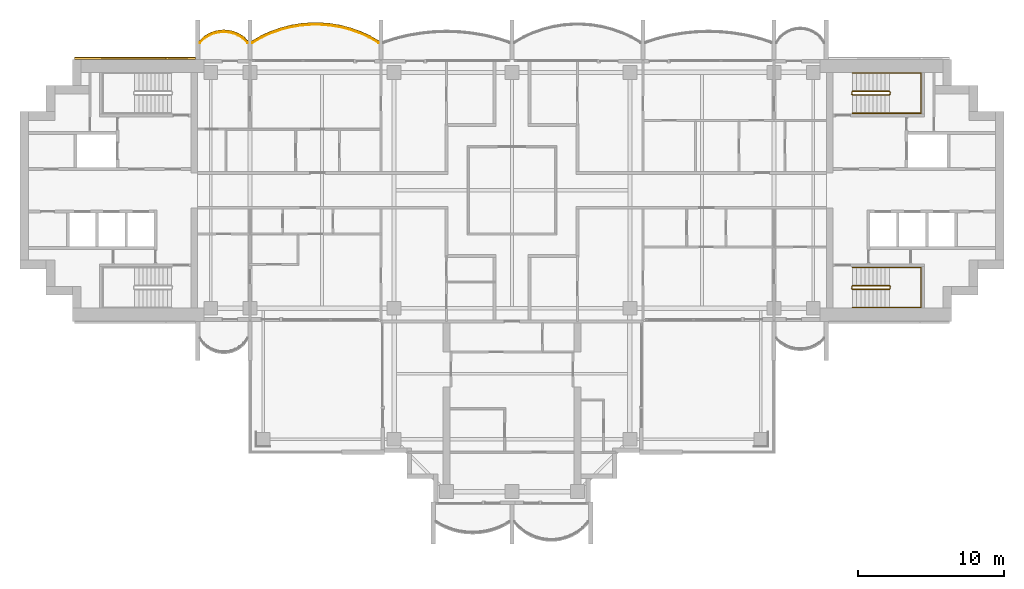
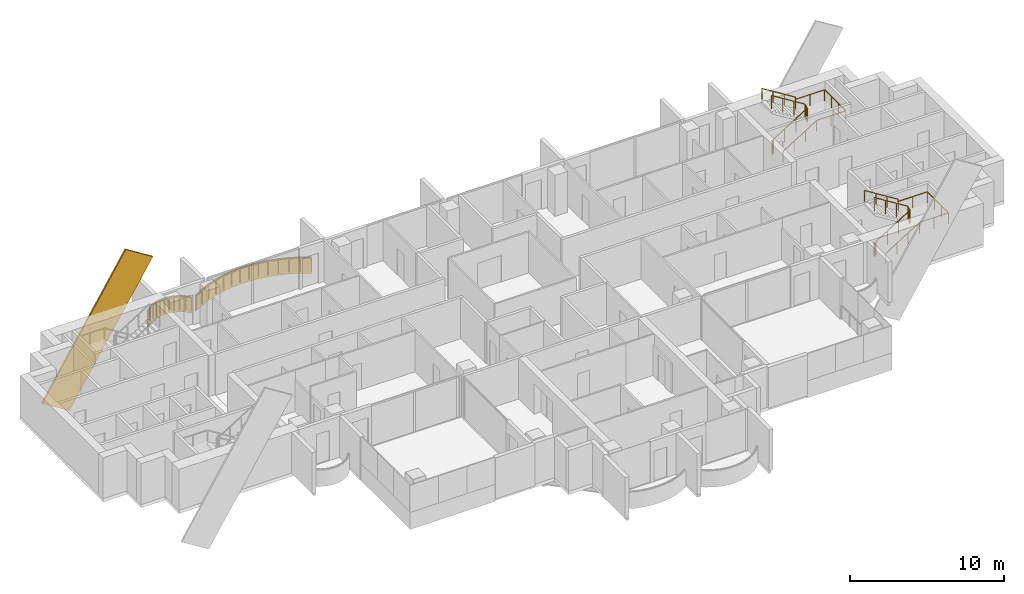
# One storey, part 16 of 17: 6 railings, 3 coverings.
"""IFC4 building model written with IfcOpenShell, lengths in metres."""

import ifcopenshell
import ifcopenshell.guid

model = None  # the IFC model being written
_history = None  # IfcOwnerHistory: only IFC2X3 demands one
_inside = {}  # id of a spatial element -> (the spatial element, [elements in it])
_under = {}  # id of a project, library or spatial element -> (it, [spatial elements below it])
_declared = {}  # id of a project -> (the project, [libraries it declares])
_typed = {}  # id of a type object -> (the type object, [elements of that type])
_made_of = {}  # id of a material, layer set ... -> (it, [elements and type objects made of it])


def new_model(schema):
    """Start an empty IFC model of exactly this schema.

    Asked for "IFC4X3", IfcOpenShell would pick the latest addendum, in which some entities
    have other attributes; the version numbers below select the first issue.
    IFC2X3 requires an IfcOwnerHistory on every rooted entity: one is made here for all.
    """
    global model, _history
    if schema == "IFC4X3":
        model = ifcopenshell.file(schema_version=(4, 3, 0, 0))
    else:
        model = ifcopenshell.file(schema=schema)
    _inside.clear()
    _under.clear()
    _declared.clear()
    _typed.clear()
    _made_of.clear()
    _history = None
    if model.schema == "IFC2X3":
        org = make("IfcOrganization", Name="unknown")
        user = make(
            "IfcPersonAndOrganization",
            ThePerson=make("IfcPerson", FamilyName="unknown"),
            TheOrganization=org,
        )
        app = make(
            "IfcApplication",
            ApplicationDeveloper=org,
            Version="unknown",
            ApplicationFullName="unknown",
            ApplicationIdentifier="unknown",
        )
        _history = make(
            "IfcOwnerHistory",
            OwningUser=user,
            OwningApplication=app,
            ChangeAction="ADDED",
            CreationDate=0,
        )
    return model


def make(cls, **values):
    """One entity of the class cls with the attributes given. An attribute that is None is left unset."""
    return model.create_entity(
        cls, **{name: value for name, value in values.items() if value is not None}
    )


def rooted(cls, **values):
    """An entity with a GlobalId (a new one), such as an element, a storey or a relation."""
    return make(cls, GlobalId=ifcopenshell.guid.new(), OwnerHistory=_history, **values)


def si_unit(unit_type, name, prefix=None):
    """IfcSIUnit, for example si_unit("LENGTHUNIT", "METRE", prefix="MILLI")."""
    return make("IfcSIUnit", UnitType=unit_type, Prefix=prefix, Name=name)


def assignment(units):
    """IfcUnitAssignment: the units of a project."""
    return None if units is None else make("IfcUnitAssignment", Units=units)


def point(xyz):
    """IfcCartesianPoint."""
    return None if xyz is None else make("IfcCartesianPoint", Coordinates=xyz)


def direction(xyz):
    """IfcDirection."""
    return None if xyz is None else make("IfcDirection", DirectionRatios=xyz)


def frame(location, z_axis=None, x_axis=None):
    """IfcAxis2Placement3D, a coordinate frame: its origin and axes. An axis left out is left unset."""
    return make(
        "IfcAxis2Placement3D",
        Location=point(location),
        Axis=direction(z_axis),
        RefDirection=direction(x_axis),
    )


def frame_2d(location, x_axis=None):
    """IfcAxis2Placement2D, a coordinate frame in the plane: its origin and x axis."""
    return make(
        "IfcAxis2Placement2D", Location=point(location), RefDirection=direction(x_axis)
    )


def origin():
    """The frame at (0, 0, 0) with its axes left unset."""
    return frame((0.0, 0.0, 0.0))


def origin_2d():
    """The frame at (0, 0) in the plane with its x axis left unset."""
    return frame_2d((0.0, 0.0))


def place(relative_to, where):
    """IfcLocalPlacement: puts the frame where relative to a parent placement (None: the world)."""
    return make(
        "IfcLocalPlacement", PlacementRelTo=relative_to, RelativePlacement=where
    )


def context(
    kind, dimensions, precision=None, world=None, true_north=None, identifier=None
):
    """IfcGeometricRepresentationContext, for example the 3D "Model" context."""
    return make(
        "IfcGeometricRepresentationContext",
        ContextIdentifier=identifier,
        ContextType=kind,
        CoordinateSpaceDimension=dimensions,
        Precision=precision,
        WorldCoordinateSystem=world,
        TrueNorth=true_north,
    )


def subcontext(parent, identifier, kind, view, scale=None):
    """IfcGeometricRepresentationSubContext, for example "Body" below "Model"."""
    return make(
        "IfcGeometricRepresentationSubContext",
        ContextIdentifier=identifier,
        ContextType=kind,
        ParentContext=parent,
        TargetScale=scale,
        TargetView=view,
    )


def project(units=None, contexts=None):
    """IfcProject with its units and contexts."""
    return rooted(
        "IfcProject",
        Name="project",
        RepresentationContexts=contexts,
        UnitsInContext=assignment(units),
    )


def spatial(cls, under=None, at=None, **own):
    """A site, building, storey or space (cls), placed at a placement, below another one or the project."""
    s = rooted(cls, ObjectPlacement=at, **own)
    if under is not None:
        _under.setdefault(under.id(), (under, []))[1].append(s)
    return s


def polyline(points):
    """IfcPolyline through the points."""
    return make("IfcPolyline", Points=[point(p) for p in points])


def profile(cls, at=None, kind="AREA", **sizes):
    """A parametric profile (cls). Its sizes go by their IFC names, for example OverallWidth=200.0."""
    return make(cls, ProfileType=kind, Position=at, **sizes)


def rectangle(**sizes):
    """IfcRectangleProfileDef."""
    return profile("IfcRectangleProfileDef", **sizes)


def outline(outer, holes=None, kind="AREA"):
    """IfcArbitraryClosedProfileDef: a profile drawn as a closed curve; with holes, ...WithVoids."""
    if holes is None:
        return make("IfcArbitraryClosedProfileDef", ProfileType=kind, OuterCurve=outer)
    return make(
        "IfcArbitraryProfileDefWithVoids",
        ProfileType=kind,
        OuterCurve=outer,
        InnerCurves=holes,
    )


def extrude(swept, where, along, depth):
    """IfcExtrudedAreaSolid: the profile swept, set in the frame where, extruded along a direction by depth."""
    return make(
        "IfcExtrudedAreaSolid",
        SweptArea=swept,
        Position=where,
        ExtrudedDirection=direction(along),
        Depth=depth,
    )


def shape(context_of_items, identifier, shape_type, items):
    """IfcShapeRepresentation: the items that make up one representation, for example the "Body"."""
    return make(
        "IfcShapeRepresentation",
        ContextOfItems=context_of_items,
        RepresentationIdentifier=identifier,
        RepresentationType=shape_type,
        Items=items,
    )


def material(Name=None, Category=None):
    """IfcMaterial."""
    return make("IfcMaterial", Name=Name, Category=Category)


def layer(
    of_material, thickness, ventilated=None, Name=None, Category=None, Priority=None
):
    """IfcMaterialLayer: one layer of a wall or slab, of a material (None: an air gap)."""
    return make(
        "IfcMaterialLayer",
        Material=of_material,
        LayerThickness=thickness,
        IsVentilated=ventilated,
        Name=Name,
        Category=Category,
        Priority=Priority,
    )


def layer_set(layers, Name=None):
    """IfcMaterialLayerSet."""
    return make("IfcMaterialLayerSet", MaterialLayers=layers, LayerSetName=Name)


def material_profile(
    of_material, cross_section, Name=None, Category=None, Priority=None
):
    """IfcMaterialProfile: a cross section and its material."""
    return make(
        "IfcMaterialProfile",
        Name=Name,
        Material=of_material,
        Profile=cross_section,
        Priority=Priority,
        Category=Category,
    )


def profile_set(profiles, Name=None, composite=None):
    """IfcMaterialProfileSet."""
    return make(
        "IfcMaterialProfileSet",
        Name=Name,
        MaterialProfiles=profiles,
        CompositeProfile=composite,
    )


def made_of(thing, what):
    """Note that an element or type object is made of a material, layer set ...; save() writes the relation."""
    if what is not None:
        _made_of.setdefault(what.id(), (what, []))[1].append(thing)
    return thing


def type_object(cls, material=None, **own):
    """A type object (cls), such as IfcWallType, which elements share."""
    return made_of(rooted(cls, **own), material)


def element(
    cls,
    number,
    at=None,
    inside=None,
    cuts=None,
    type_object=None,
    material=None,
    context=None,
    identifier="Body",
    shape_type=None,
    held_by="IfcProductDefinitionShape",
    body=None,
    shapes=None,
    **own,
):
    """One element of the class cls, such as IfcWall. Its Tag is "e" and its number.

    at: its placement. inside: the storey or other place that contains it. cuts: it is an
    opening in that element (IfcRelVoidsElement). A single representation is given by context,
    identifier, shape_type and body (its items); several are given by shapes. held_by: the class
    of the entity that holds the representations. save() writes the other relations.
    """
    e = rooted(cls, Tag="e%d" % number, ObjectPlacement=at, **own)
    if body is not None:
        shapes = [shape(context, identifier, shape_type, body)]
    if shapes is not None:
        e.Representation = make(held_by, Representations=shapes)
    if inside is not None:
        _inside.setdefault(inside.id(), (inside, []))[1].append(e)
    if cuts is not None:
        rooted(
            "IfcRelVoidsElement", RelatingBuildingElement=cuts, RelatedOpeningElement=e
        )
    if type_object is not None:
        _typed.setdefault(type_object.id(), (type_object, []))[1].append(e)
    return made_of(e, material)


def aggregate(whole, parts):
    """IfcRelAggregates: a whole, such as a stair, and the parts it consists of."""
    return rooted("IfcRelAggregates", RelatingObject=whole, RelatedObjects=parts)


def save(model, path):
    """Write the relations noted so far, then the file.

    IfcRelAggregates (storeys below a building ...), IfcRelContainedInSpatialStructure (elements
    in a storey), IfcRelDefinesByType, IfcRelAssociatesMaterial and IfcRelDeclares: one each for
    every whole, place, type object, material and project.
    """
    for whole, parts in _under.values():
        aggregate(whole, parts)
    for where, things in _inside.values():
        rooted(
            "IfcRelContainedInSpatialStructure",
            RelatedElements=things,
            RelatingStructure=where,
        )
    for kind, things in _typed.values():
        rooted("IfcRelDefinesByType", RelatedObjects=things, RelatingType=kind)
    for what, things in _made_of.values():
        rooted("IfcRelAssociatesMaterial", RelatedObjects=things, RelatingMaterial=what)
    for by, libraries in _declared.values():
        rooted("IfcRelDeclares", RelatingContext=by, RelatedDefinitions=libraries)
    model.write(path)


model = new_model("IFC4")

# Units and contexts
model_context = context("Model", 3, precision=1e-05, world=origin(), true_north=direction((0.0, 1.0)))
body_context = subcontext(model_context, "Body", "Model", "MODEL_VIEW")
ifc_project = project(units=[si_unit("LENGTHUNIT", "METRE"), si_unit("AREAUNIT", "SQUARE_METRE"), si_unit("VOLUMEUNIT", "CUBIC_METRE"), si_unit("PLANEANGLEUNIT", "RADIAN"), si_unit("MASSUNIT", "GRAM", prefix="KILO")], contexts=[model_context])

# Site, building, storey
site_placement = place(None, origin())
site = spatial("IfcSite", under=ifc_project, at=site_placement, CompositionType="ELEMENT")
building_placement = place(site_placement, origin())
building = spatial("IfcBuilding", under=site, at=building_placement, Name="Perihelion Cross Residences", CompositionType="ELEMENT")
storey_placement = place(building_placement, frame((0.0, 0.0, 198.10009765625)))
storey = spatial("IfcBuildingStorey", under=building, at=storey_placement, Name="L49", CompositionType="ELEMENT", Elevation=198.10009765625)

# Coverings
ifc_material_1 = material(Name="Bronze anodised aluminium", Category="aluminium")
ifc_layer = layer(ifc_material_1, 0.070068359375)
ifc_layer_set = layer_set([ifc_layer], Name="Balcony fascia 1300")
covering_type_1 = type_object("IfcCoveringType", Name="Balcony fascia 1300", PredefinedType="CLADDING", material=ifc_layer_set)
covering_1_placement = place(storey_placement, frame((0.0, 0.0, -0.2001953125)))
element("IfcCovering", 1, at=covering_1_placement, inside=storey, type_object=covering_type_1, Name="Fascia BF1 L49 west side north bay 1", PredefinedType="CLADDING", context=body_context, shape_type="SweptSolid", body=[
    extrude(outline(polyline([(-9.787841796875, 10.63916015625), (-10.462646484375, 10.941650390625), (-11.1376953125, 11.175048828125), (-11.8125, 11.345947265625), (-12.487548828125, 11.457763671875), (-13.16259765625, 11.51318359375), (-13.83740234375, 11.51318359375), (-14.512451171875, 11.457763671875), (-15.1875, 11.345947265625), (-15.8623046875, 11.175048828125), (-16.537353515625, 10.941650390625), (-17.212158203125, 10.63916015625), (-17.85009765625, 10.2802734375), (-17.85009765625, 10.199951171875), (-17.1806640625, 10.57666015625), (-16.511474609375, 10.87646484375), (-15.84228515625, 11.108154296875), (-15.173095703125, 11.27734375), (-14.50390625, 11.38818359375), (-13.834716796875, 11.443115234375), (-13.165283203125, 11.443115234375), (-12.49609375, 11.38818359375), (-11.826904296875, 11.27734375), (-11.15771484375, 11.108154296875), (-10.488525390625, 10.87646484375), (-9.8193359375, 10.57666015625), (-9.14990234375, 10.199951171875), (-9.14990234375, 10.2802734375), (-9.787841796875, 10.63916015625)])), origin(), (0.0, 0.0, 1.0), 1.300048828125),
])
covering_2_placement = place(storey_placement, frame((0.0, 0.0, -0.2001953125)))
element("IfcCovering", 2, at=covering_2_placement, inside=storey, type_object=covering_type_1, Name="Fascia BF1 L49 west side north bay 2", PredefinedType="CLADDING", context=body_context, shape_type="SweptSolid", body=[
    extrude(outline(polyline([(-18.4375, 10.56298828125), (-18.778076171875, 10.77587890625), (-19.11865234375, 10.914794921875), (-19.45947265625, 10.994140625), (-19.800048828125, 11.02001953125), (-20.140625, 10.994140625), (-20.481201171875, 10.914794921875), (-20.82177734375, 10.77587890625), (-21.16259765625, 10.56298828125), (-21.449951171875, 10.295654296875), (-21.449951171875, 10.199951171875), (-21.1201171875, 10.507568359375), (-20.7900390625, 10.71337890625), (-20.4599609375, 10.84814453125), (-20.1298828125, 10.925048828125), (-19.800048828125, 10.949951171875), (-19.469970703125, 10.925048828125), (-19.139892578125, 10.84814453125), (-18.81005859375, 10.71337890625), (-18.47998046875, 10.507568359375), (-18.14990234375, 10.199951171875), (-18.14990234375, 10.295654296875), (-18.4375, 10.56298828125)])), origin(), (0.0, 0.0, 1.0), 1.300048828125),
])

# Railings
ifc_material_2 = material(Name="Bronze anodised aluminium", Category="aluminium")
railing_type_1 = type_object("IfcRailingType", Name="Balcony guard 1100", PredefinedType="GUARDRAIL", material=ifc_material_2)
railing_1_placement = place(storey_placement, frame((-9.175048828125, 10.139892578125, 0.0)))
element("IfcRailing", 3, at=railing_1_placement, inside=storey, type_object=railing_type_1, Name="Guard GU1 L49 west side north bay 1 balcony", PredefinedType="GUARDRAIL", context=body_context, shape_type="SweptSolid", body=[
    extrude(rectangle(XDim=0.048095703125, YDim=0.048095703125, at=origin_2d()), frame((0.0, 0.0, 1.076171875), z_axis=(-0.863125740505, 0.504989065305, 0.0), x_axis=(-0.504989065305, -0.863125740505, 0.0)), (0.0, 0.0, 1.0), 0.746337890625),
    extrude(rectangle(XDim=0.048095703125, YDim=0.048095703125, at=origin_2d()), frame((-0.644287109375, 0.376953125, 1.076171875), z_axis=(-0.912723499295, 0.408577794103, 0.0), x_axis=(-0.408577794103, -0.912723499295, 0.0)), (0.0, 0.0, 1.0), 0.733154296875),
    extrude(rectangle(XDim=0.048095703125, YDim=0.048095703125, at=origin_2d()), frame((-1.3134765625, 0.676513671875, 1.076171875), z_axis=(-0.944965577734, 0.327169767701, 0.0), x_axis=(-0.327169767701, -0.944965577734, 0.0)), (0.0, 0.0, 1.0), 0.708251953125),
    extrude(rectangle(XDim=0.048095703125, YDim=0.048095703125, at=origin_2d()), frame((-1.982666015625, 0.908203125, 1.076171875), z_axis=(-0.96949408574, 0.245114703181, 0.0), x_axis=(-0.245114703181, -0.96949408574, 0.0)), (0.0, 0.0, 1.0), 0.690185546875),
    extrude(rectangle(XDim=0.048095703125, YDim=0.048095703125, at=origin_2d()), frame((-2.65185546875, 1.077392578125, 1.076171875), z_axis=(-0.986500713816, 0.163756959061, 0.0), x_axis=(-0.163756959061, -0.986500713816, 0.0)), (0.0, 0.0, 1.0), 0.678466796875),
    extrude(rectangle(XDim=0.048095703125, YDim=0.048095703125, at=origin_2d()), frame((-3.321044921875, 1.1884765625, 1.076171875), z_axis=(-0.996677390684, 0.081450468994, 0.0), x_axis=(-0.081450468994, -0.996677390684, 0.0)), (0.0, 0.0, 1.0), 0.67138671875),
    extrude(rectangle(XDim=0.048095703125, YDim=0.048095703125, at=origin_2d()), frame((-3.990234375, 1.2431640625, 1.076171875), z_axis=(-1.0, 0.0, 0.0), x_axis=(0.0, -1.0, 0.0)), (0.0, 0.0, 1.0), 0.66943359375),
    extrude(rectangle(XDim=0.048095703125, YDim=0.048095703125, at=origin_2d()), frame((-4.65966796875, 1.2431640625, 1.076171875), z_axis=(-0.996677390684, -0.081450468994, 0.0), x_axis=(0.081450468994, -0.996677390684, 0.0)), (0.0, 0.0, 1.0), 0.67138671875),
    extrude(rectangle(XDim=0.048095703125, YDim=0.048095703125, at=origin_2d()), frame((-5.328857421875, 1.1884765625, 1.076171875), z_axis=(-0.986500713816, -0.163756959061, 0.0), x_axis=(0.163756959061, -0.986500713816, 0.0)), (0.0, 0.0, 1.0), 0.678466796875),
    extrude(rectangle(XDim=0.048095703125, YDim=0.048095703125, at=origin_2d()), frame((-5.998046875, 1.077392578125, 1.076171875), z_axis=(-0.96949408574, -0.245114703181, 0.0), x_axis=(0.245114703181, -0.96949408574, 0.0)), (0.0, 0.0, 1.0), 0.690185546875),
    extrude(rectangle(XDim=0.048095703125, YDim=0.048095703125, at=origin_2d()), frame((-6.667236328125, 0.908203125, 1.076171875), z_axis=(-0.944965577734, -0.327169767701, 0.0), x_axis=(0.327169767701, -0.944965577734, 0.0)), (0.0, 0.0, 1.0), 0.708251953125),
    extrude(rectangle(XDim=0.048095703125, YDim=0.048095703125, at=origin_2d()), frame((-7.33642578125, 0.676513671875, 1.076171875), z_axis=(-0.912723499295, -0.408577794103, 0.0), x_axis=(0.408577794103, -0.912723499295, 0.0)), (0.0, 0.0, 1.0), 0.733154296875),
    extrude(rectangle(XDim=0.048095703125, YDim=0.048095703125, at=origin_2d()), frame((-8.005615234375, 0.376953125, 1.076171875), z_axis=(-0.863125740505, -0.504989065305, 0.0), x_axis=(0.504989065305, -0.863125740505, 0.0)), (0.0, 0.0, 1.0), 0.746337890625),
    extrude(rectangle(XDim=0.0419921875, YDim=0.0419921875, at=origin_2d()), origin(), (0.0, 0.0, 1.0), 1.052001953125),
    extrude(rectangle(XDim=0.0419921875, YDim=0.0419921875, at=origin_2d()), frame((-0.644287109375, 0.376953125, 0.0)), (0.0, 0.0, 1.0), 1.052001953125),
    extrude(rectangle(XDim=0.0419921875, YDim=0.0419921875, at=origin_2d()), frame((-1.3134765625, 0.676513671875, 0.0)), (0.0, 0.0, 1.0), 1.052001953125),
    extrude(rectangle(XDim=0.0419921875, YDim=0.0419921875, at=origin_2d()), frame((-1.982666015625, 0.908203125, 0.0)), (0.0, 0.0, 1.0), 1.052001953125),
    extrude(rectangle(XDim=0.0419921875, YDim=0.0419921875, at=origin_2d()), frame((-2.65185546875, 1.077392578125, 0.0)), (0.0, 0.0, 1.0), 1.052001953125),
    extrude(rectangle(XDim=0.0419921875, YDim=0.0419921875, at=origin_2d()), frame((-3.321044921875, 1.1884765625, 0.0)), (0.0, 0.0, 1.0), 1.052001953125),
    extrude(rectangle(XDim=0.0419921875, YDim=0.0419921875, at=origin_2d()), frame((-3.990234375, 1.2431640625, 0.0)), (0.0, 0.0, 1.0), 1.052001953125),
    extrude(rectangle(XDim=0.0419921875, YDim=0.0419921875, at=origin_2d()), frame((-4.65966796875, 1.2431640625, 0.0)), (0.0, 0.0, 1.0), 1.052001953125),
    extrude(rectangle(XDim=0.0419921875, YDim=0.0419921875, at=origin_2d()), frame((-5.328857421875, 1.1884765625, 0.0)), (0.0, 0.0, 1.0), 1.052001953125),
    extrude(rectangle(XDim=0.0419921875, YDim=0.0419921875, at=origin_2d()), frame((-5.998046875, 1.077392578125, 0.0)), (0.0, 0.0, 1.0), 1.052001953125),
    extrude(rectangle(XDim=0.0419921875, YDim=0.0419921875, at=origin_2d()), frame((-6.667236328125, 0.908203125, 0.0)), (0.0, 0.0, 1.0), 1.052001953125),
    extrude(rectangle(XDim=0.0419921875, YDim=0.0419921875, at=origin_2d()), frame((-7.33642578125, 0.676513671875, 0.0)), (0.0, 0.0, 1.0), 1.052001953125),
    extrude(rectangle(XDim=0.0419921875, YDim=0.0419921875, at=origin_2d()), frame((-8.005615234375, 0.376953125, 0.0)), (0.0, 0.0, 1.0), 1.052001953125),
    extrude(rectangle(XDim=0.0419921875, YDim=0.0419921875, at=origin_2d()), frame((-8.64990234375, 0.0, 0.0)), (0.0, 0.0, 1.0), 1.052001953125),
])
railing_2_placement = place(storey_placement, frame((-18.175048828125, 10.139892578125, 0.0)))
element("IfcRailing", 4, at=railing_2_placement, inside=storey, type_object=railing_type_1, Name="Guard GU1 L49 west side north bay 2 balcony", PredefinedType="GUARDRAIL", context=body_context, shape_type="SweptSolid", body=[
    extrude(rectangle(XDim=0.048095703125, YDim=0.048095703125, at=origin_2d()), frame((0.0, 0.0, 1.076171875), z_axis=(-0.703999905859, 0.710200065158, 0.0), x_axis=(-0.710200065158, -0.703999905859, 0.0)), (0.0, 0.0, 1.0), 0.43310546875),
    extrude(rectangle(XDim=0.048095703125, YDim=0.048095703125, at=origin_2d()), frame((-0.304931640625, 0.3076171875, 1.076171875), z_axis=(-0.848280173265, 0.529547682127, 0.0), x_axis=(-0.529547682127, -0.848280173265, 0.0)), (0.0, 0.0, 1.0), 0.38916015625),
    extrude(rectangle(XDim=0.048095703125, YDim=0.048095703125, at=origin_2d()), frame((-0.635009765625, 0.513671875, 1.076171875), z_axis=(-0.925950379976, 0.377645195682, 0.0), x_axis=(-0.377645195682, -0.925950379976, 0.0)), (0.0, 0.0, 1.0), 0.356201171875),
    extrude(rectangle(XDim=0.048095703125, YDim=0.048095703125, at=origin_2d()), frame((-0.96484375, 0.648193359375, 1.076171875), z_axis=(-0.97391554583, 0.226910796551, 0.0), x_axis=(-0.226910796551, -0.97391554583, 0.0)), (0.0, 0.0, 1.0), 0.3388671875),
    extrude(rectangle(XDim=0.048095703125, YDim=0.048095703125, at=origin_2d()), frame((-1.294921875, 0.72509765625, 1.076171875), z_axis=(-0.997166208737, 0.075229995038, 0.0), x_axis=(-0.075229995038, -0.997166208737, 0.0)), (0.0, 0.0, 1.0), 0.3310546875),
    extrude(rectangle(XDim=0.048095703125, YDim=0.048095703125, at=origin_2d()), frame((-1.625, 0.75, 1.076171875), z_axis=(-0.997162029931, -0.075285364214, 0.0), x_axis=(0.075285364214, -0.997162029931, 0.0)), (0.0, 0.0, 1.0), 0.330810546875),
    extrude(rectangle(XDim=0.048095703125, YDim=0.048095703125, at=origin_2d()), frame((-1.954833984375, 0.72509765625, 1.076171875), z_axis=(-0.97391554583, -0.226910796551, 0.0), x_axis=(0.226910796551, -0.97391554583, 0.0)), (0.0, 0.0, 1.0), 0.3388671875),
    extrude(rectangle(XDim=0.048095703125, YDim=0.048095703125, at=origin_2d()), frame((-2.284912109375, 0.648193359375, 1.076171875), z_axis=(-0.926048033295, -0.377405670374, 0.0), x_axis=(0.377405670374, -0.926048033295, 0.0)), (0.0, 0.0, 1.0), 0.3564453125),
    extrude(rectangle(XDim=0.048095703125, YDim=0.048095703125, at=origin_2d()), frame((-2.614990234375, 0.513671875, 1.076171875), z_axis=(-0.848280173265, -0.529547682127, 0.0), x_axis=(0.529547682127, -0.848280173265, 0.0)), (0.0, 0.0, 1.0), 0.38916015625),
    extrude(rectangle(XDim=0.048095703125, YDim=0.048095703125, at=origin_2d()), frame((-2.945068359375, 0.3076171875, 1.076171875), z_axis=(-0.703999905859, -0.710200065158, 0.0), x_axis=(0.710200065158, -0.703999905859, 0.0)), (0.0, 0.0, 1.0), 0.43310546875),
    extrude(rectangle(XDim=0.0419921875, YDim=0.0419921875, at=origin_2d()), origin(), (0.0, 0.0, 1.0), 1.052001953125),
    extrude(rectangle(XDim=0.0419921875, YDim=0.0419921875, at=origin_2d()), frame((-0.304931640625, 0.3076171875, 0.0)), (0.0, 0.0, 1.0), 1.052001953125),
    extrude(rectangle(XDim=0.0419921875, YDim=0.0419921875, at=origin_2d()), frame((-0.635009765625, 0.513671875, 0.0)), (0.0, 0.0, 1.0), 1.052001953125),
    extrude(rectangle(XDim=0.0419921875, YDim=0.0419921875, at=origin_2d()), frame((-0.96484375, 0.648193359375, 0.0)), (0.0, 0.0, 1.0), 1.052001953125),
    extrude(rectangle(XDim=0.0419921875, YDim=0.0419921875, at=origin_2d()), frame((-1.294921875, 0.72509765625, 0.0)), (0.0, 0.0, 1.0), 1.052001953125),
    extrude(rectangle(XDim=0.0419921875, YDim=0.0419921875, at=origin_2d()), frame((-1.625, 0.75, 0.0)), (0.0, 0.0, 1.0), 1.052001953125),
    extrude(rectangle(XDim=0.0419921875, YDim=0.0419921875, at=origin_2d()), frame((-1.954833984375, 0.72509765625, 0.0)), (0.0, 0.0, 1.0), 1.052001953125),
    extrude(rectangle(XDim=0.0419921875, YDim=0.0419921875, at=origin_2d()), frame((-2.284912109375, 0.648193359375, 0.0)), (0.0, 0.0, 1.0), 1.052001953125),
    extrude(rectangle(XDim=0.0419921875, YDim=0.0419921875, at=origin_2d()), frame((-2.614990234375, 0.513671875, 0.0)), (0.0, 0.0, 1.0), 1.052001953125),
    extrude(rectangle(XDim=0.0419921875, YDim=0.0419921875, at=origin_2d()), frame((-2.945068359375, 0.3076171875, 0.0)), (0.0, 0.0, 1.0), 1.052001953125),
    extrude(rectangle(XDim=0.0419921875, YDim=0.0419921875, at=origin_2d()), frame((-3.25, 0.0, 0.0)), (0.0, 0.0, 1.0), 1.052001953125),
])

# Covering
ifc_material_3 = material(Name="Bronze anodised aluminium", Category="aluminium")
ifc_material_profile = material_profile(ifc_material_3, rectangle(XDim=0.125, YDim=2.39990234375, at=origin_2d()), Name="Bronze cladding band 2400")
ifc_profile_set = profile_set([ifc_material_profile], Name="Bronze anodised aluminium")
covering_type_2 = type_object("IfcCoveringType", Name="Bronze cladding band 2400", PredefinedType="CLADDING", material=ifc_profile_set)
covering_3_placement = place(storey_placement, frame((-29.0322265625, 9.0625, -3.121826171875), z_axis=(0.529924684379, 0.0, 0.848044709249), x_axis=(0.0, 1.0, 0.0)))
element("IfcCovering", 5, at=covering_3_placement, inside=storey, type_object=covering_type_2, Name="Core cladding band, west core", PredefinedType="CLADDING", context=body_context, shape_type="SweptSolid", body=[
    extrude(rectangle(XDim=0.125, YDim=2.39990234375, at=origin_2d()), origin(), (0.0, 0.0, 1.0), 11.82177734375),
])

# Railings
ifc_material_4 = material(Name="Stainless steel", Category="steel")
railing_type_2 = type_object("IfcRailingType", Name="Stair guard 1100", PredefinedType="GUARDRAIL", material=ifc_material_4)
railing_3_placement = place(storey_placement, frame((23.35009765625, 6.75, 0.0)))
element("IfcRailing", 6, at=railing_3_placement, inside=storey, type_object=railing_type_2, Name="L49 ST-E1 stair guard 1", PredefinedType="GUARDRAIL", context=body_context, shape_type="SweptSolid", body=[
    extrude(rectangle(XDim=0.048095703125, YDim=0.048095703125, at=origin_2d()), frame((0.0, 0.0, 1.076171875), z_axis=(0.0, -1.0, 0.0), x_axis=(1.0, 0.0, 0.0)), (0.0, 0.0, 1.0), 0.14990234375),
    extrude(rectangle(XDim=0.048095703125, YDim=0.048095703125, at=origin_2d()), frame((0.0, -0.14990234375, 1.076171875), z_axis=(0.264179342666, -0.265474339444, 0.927217692888), x_axis=(0.708833529934, 0.705375805398, 0.0)), (0.0, 0.0, 1.0), 0.1884765625),
    extrude(rectangle(XDim=0.048095703125, YDim=0.048095703125, at=origin_2d()), frame((0.0498046875, -0.199951171875, 1.2509765625), z_axis=(0.847970611238, 0.0, 0.530043245855), x_axis=(0.0, 1.0, 0.0)), (0.0, 0.0, 1.0), 2.971923828125),
    extrude(rectangle(XDim=0.048095703125, YDim=0.048095703125, at=origin_2d()), frame((2.56982421875, -0.199951171875, 2.826171875), z_axis=(0.707106781187, 0.707106781187, 0.0), x_axis=(-0.707106781187, 0.707106781187, 0.0)), (0.0, 0.0, 1.0), 0.07080078125),
    extrude(rectangle(XDim=0.048095703125, YDim=0.048095703125, at=origin_2d()), frame((2.619873046875, -0.14990234375, 2.826171875), z_axis=(0.0, 1.0, 0.0), x_axis=(-1.0, 0.0, 0.0)), (0.0, 0.0, 1.0), 0.14990234375),
    extrude(rectangle(XDim=0.048095703125, YDim=0.048095703125, at=origin_2d()), frame((2.619873046875, 0.0, 2.826171875), z_axis=(-0.265383341853, 0.265383341853, 0.926899867156), x_axis=(-0.707106781187, -0.707106781187, 0.0)), (0.0, 0.0, 1.0), 0.1884765625),
    extrude(rectangle(XDim=0.048095703125, YDim=0.048095703125, at=origin_2d()), frame((2.56982421875, 0.050048828125, 3.0009765625), z_axis=(-0.847970611238, 0.0, 0.530043245855), x_axis=(0.0, -1.0, 0.0)), (0.0, 0.0, 1.0), 2.971923828125),
    extrude(rectangle(XDim=0.0419921875, YDim=0.0419921875, at=origin_2d()), origin(), (0.0, 0.0, 1.0), 1.052001953125),
    extrude(rectangle(XDim=0.0419921875, YDim=0.0419921875, at=origin_2d()), frame((0.0, -0.14990234375, 0.0)), (0.0, 0.0, 1.0), 1.052001953125),
    extrude(rectangle(XDim=0.0419921875, YDim=0.0419921875, at=origin_2d()), frame((0.0498046875, -0.199951171875, 0.1748046875)), (0.0, 0.0, 1.0), 1.052001953125),
    extrude(rectangle(XDim=0.0419921875, YDim=0.0419921875, at=origin_2d()), frame((0.889892578125, -0.199951171875, 0.699951171875)), (0.0, 0.0, 1.0), 1.052001953125),
    extrude(rectangle(XDim=0.0419921875, YDim=0.0419921875, at=origin_2d()), frame((1.729736328125, -0.199951171875, 1.224853515625)), (0.0, 0.0, 1.0), 1.052001953125),
    extrude(rectangle(XDim=0.0419921875, YDim=0.0419921875, at=origin_2d()), frame((2.56982421875, -0.199951171875, 1.75)), (0.0, 0.0, 1.0), 1.052001953125),
    extrude(rectangle(XDim=0.0419921875, YDim=0.0419921875, at=origin_2d()), frame((2.619873046875, -0.14990234375, 1.75)), (0.0, 0.0, 1.0), 1.052001953125),
    extrude(rectangle(XDim=0.0419921875, YDim=0.0419921875, at=origin_2d()), frame((2.619873046875, 0.0, 1.75)), (0.0, 0.0, 1.0), 1.052001953125),
    extrude(rectangle(XDim=0.0419921875, YDim=0.0419921875, at=origin_2d()), frame((2.56982421875, 0.050048828125, 1.9248046875)), (0.0, 0.0, 1.0), 1.052001953125),
    extrude(rectangle(XDim=0.0419921875, YDim=0.0419921875, at=origin_2d()), frame((1.729736328125, 0.050048828125, 2.449951171875)), (0.0, 0.0, 1.0), 1.052001953125),
    extrude(rectangle(XDim=0.0419921875, YDim=0.0419921875, at=origin_2d()), frame((0.889892578125, 0.050048828125, 2.974853515625)), (0.0, 0.0, 1.0), 1.052001953125),
    extrude(rectangle(XDim=0.0419921875, YDim=0.0419921875, at=origin_2d()), frame((0.0498046875, 0.050048828125, 3.5)), (0.0, 0.0, 1.0), 1.052001953125),
])
railing_4_placement = place(storey_placement, frame((23.35009765625, -6.60009765625, 0.0)))
element("IfcRailing", 7, at=railing_4_placement, inside=storey, type_object=railing_type_2, Name="L49 ST-E2 stair guard 1", PredefinedType="GUARDRAIL", context=body_context, shape_type="SweptSolid", body=[
    extrude(rectangle(XDim=0.048095703125, YDim=0.048095703125, at=origin_2d()), frame((0.0, 0.0, 1.076171875), z_axis=(0.0, -1.0, 0.0), x_axis=(1.0, 0.0, 0.0)), (0.0, 0.0, 1.0), 0.14990234375),
    extrude(rectangle(XDim=0.048095703125, YDim=0.048095703125, at=origin_2d()), frame((0.0, -0.14990234375, 1.076171875), z_axis=(0.264179342666, -0.265474339444, 0.927217692888), x_axis=(0.708833529934, 0.705375805398, 0.0)), (0.0, 0.0, 1.0), 0.1884765625),
    extrude(rectangle(XDim=0.048095703125, YDim=0.048095703125, at=origin_2d()), frame((0.0498046875, -0.199951171875, 1.2509765625), z_axis=(0.847970611238, 0.0, 0.530043245855), x_axis=(0.0, 1.0, 0.0)), (0.0, 0.0, 1.0), 2.971923828125),
    extrude(rectangle(XDim=0.048095703125, YDim=0.048095703125, at=origin_2d()), frame((2.56982421875, -0.199951171875, 2.826171875), z_axis=(0.707106781187, 0.707106781187, 0.0), x_axis=(-0.707106781187, 0.707106781187, 0.0)), (0.0, 0.0, 1.0), 0.07080078125),
    extrude(rectangle(XDim=0.048095703125, YDim=0.048095703125, at=origin_2d()), frame((2.619873046875, -0.14990234375, 2.826171875), z_axis=(0.0, 1.0, 0.0), x_axis=(-1.0, 0.0, 0.0)), (0.0, 0.0, 1.0), 0.14990234375),
    extrude(rectangle(XDim=0.048095703125, YDim=0.048095703125, at=origin_2d()), frame((2.619873046875, 0.0, 2.826171875), z_axis=(-0.265383341853, 0.265383341853, 0.926899867156), x_axis=(-0.707106781187, -0.707106781187, 0.0)), (0.0, 0.0, 1.0), 0.1884765625),
    extrude(rectangle(XDim=0.048095703125, YDim=0.048095703125, at=origin_2d()), frame((2.56982421875, 0.050048828125, 3.0009765625), z_axis=(-0.847970611238, 0.0, 0.530043245855), x_axis=(0.0, -1.0, 0.0)), (0.0, 0.0, 1.0), 2.971923828125),
    extrude(rectangle(XDim=0.0419921875, YDim=0.0419921875, at=origin_2d()), origin(), (0.0, 0.0, 1.0), 1.052001953125),
    extrude(rectangle(XDim=0.0419921875, YDim=0.0419921875, at=origin_2d()), frame((0.0, -0.14990234375, 0.0)), (0.0, 0.0, 1.0), 1.052001953125),
    extrude(rectangle(XDim=0.0419921875, YDim=0.0419921875, at=origin_2d()), frame((0.0498046875, -0.199951171875, 0.1748046875)), (0.0, 0.0, 1.0), 1.052001953125),
    extrude(rectangle(XDim=0.0419921875, YDim=0.0419921875, at=origin_2d()), frame((0.889892578125, -0.199951171875, 0.699951171875)), (0.0, 0.0, 1.0), 1.052001953125),
    extrude(rectangle(XDim=0.0419921875, YDim=0.0419921875, at=origin_2d()), frame((1.729736328125, -0.199951171875, 1.224853515625)), (0.0, 0.0, 1.0), 1.052001953125),
    extrude(rectangle(XDim=0.0419921875, YDim=0.0419921875, at=origin_2d()), frame((2.56982421875, -0.199951171875, 1.75)), (0.0, 0.0, 1.0), 1.052001953125),
    extrude(rectangle(XDim=0.0419921875, YDim=0.0419921875, at=origin_2d()), frame((2.619873046875, -0.14990234375, 1.75)), (0.0, 0.0, 1.0), 1.052001953125),
    extrude(rectangle(XDim=0.0419921875, YDim=0.0419921875, at=origin_2d()), frame((2.619873046875, 0.0, 1.75)), (0.0, 0.0, 1.0), 1.052001953125),
    extrude(rectangle(XDim=0.0419921875, YDim=0.0419921875, at=origin_2d()), frame((2.56982421875, 0.050048828125, 1.9248046875)), (0.0, 0.0, 1.0), 1.052001953125),
    extrude(rectangle(XDim=0.0419921875, YDim=0.0419921875, at=origin_2d()), frame((1.729736328125, 0.050048828125, 2.449951171875)), (0.0, 0.0, 1.0), 1.052001953125),
    extrude(rectangle(XDim=0.0419921875, YDim=0.0419921875, at=origin_2d()), frame((0.889892578125, 0.050048828125, 2.974853515625)), (0.0, 0.0, 1.0), 1.052001953125),
    extrude(rectangle(XDim=0.0419921875, YDim=0.0419921875, at=origin_2d()), frame((0.0498046875, 0.050048828125, 3.5)), (0.0, 0.0, 1.0), 1.052001953125),
])
ifc_material_5 = material(Name="Stainless steel", Category="steel")
railing_type_3 = type_object("IfcRailingType", Name="Stair handrail 900", PredefinedType="HANDRAIL", material=ifc_material_5)
railing_5_placement = place(storey_placement, frame((23.39990234375, 5.300048828125, 0.1748046875)))
element("IfcRailing", 8, at=railing_5_placement, inside=storey, type_object=railing_type_3, Name="L49 ST-E1 stair handrail 1", PredefinedType="HANDRAIL", context=body_context, shape_type="SweptSolid", body=[
    extrude(rectangle(XDim=0.048095703125, YDim=0.048095703125, at=origin_2d()), frame((0.0, 0.0, 0.8759765625), z_axis=(0.847970611238, 0.0, 0.530043245855), x_axis=(0.0, 1.0, 0.0)), (0.0, 0.0, 1.0), 2.971923828125),
    extrude(rectangle(XDim=0.048095703125, YDim=0.048095703125, at=origin_2d()), frame((2.52001953125, 0.0, 2.451171875), z_axis=(1.0, 0.0, 0.0), x_axis=(0.0, 1.0, 0.0)), (0.0, 0.0, 1.0), 2.18017578125),
    extrude(rectangle(XDim=0.048095703125, YDim=0.048095703125, at=origin_2d()), frame((4.7001953125, 0.0, 2.451171875), z_axis=(0.0, 1.0, 0.0), x_axis=(-1.0, 0.0, 0.0)), (0.0, 0.0, 1.0), 2.75),
    extrude(rectangle(XDim=0.048095703125, YDim=0.048095703125, at=origin_2d()), frame((4.7001953125, 2.75, 2.451171875), z_axis=(-1.0, 0.0, 0.0), x_axis=(0.0, -1.0, 0.0)), (0.0, 0.0, 1.0), 2.18017578125),
    extrude(rectangle(XDim=0.048095703125, YDim=0.048095703125, at=origin_2d()), frame((2.52001953125, 2.75, 2.451171875), z_axis=(0.0, 0.0, 1.0), x_axis=(1.0, 0.0, 0.0)), (0.0, 0.0, 1.0), 0.1748046875),
    extrude(rectangle(XDim=0.048095703125, YDim=0.048095703125, at=origin_2d()), frame((2.52001953125, 2.75, 2.6259765625), z_axis=(-0.847970611238, 0.0, 0.530043245855), x_axis=(0.0, -1.0, 0.0)), (0.0, 0.0, 1.0), 2.971923828125),
    extrude(rectangle(XDim=0.0419921875, YDim=0.0419921875, at=origin_2d()), origin(), (0.0, 0.0, 1.0), 0.851806640625),
    extrude(rectangle(XDim=0.0419921875, YDim=0.0419921875, at=origin_2d()), frame((0.840087890625, 0.0, 0.525146484375)), (0.0, 0.0, 1.0), 0.851806640625),
    extrude(rectangle(XDim=0.0419921875, YDim=0.0419921875, at=origin_2d()), frame((1.679931640625, 0.0, 1.050048828125)), (0.0, 0.0, 1.0), 0.851806640625),
    extrude(rectangle(XDim=0.0419921875, YDim=0.0419921875, at=origin_2d()), frame((2.52001953125, 0.0, 1.5751953125)), (0.0, 0.0, 1.0), 0.851806640625),
    extrude(rectangle(XDim=0.0419921875, YDim=0.0419921875, at=origin_2d()), frame((3.610107421875, 0.0, 1.5751953125)), (0.0, 0.0, 1.0), 0.851806640625),
    extrude(rectangle(XDim=0.0419921875, YDim=0.0419921875, at=origin_2d()), frame((4.7001953125, 0.0, 1.5751953125)), (0.0, 0.0, 1.0), 0.851806640625),
    extrude(rectangle(XDim=0.0419921875, YDim=0.0419921875, at=origin_2d()), frame((4.7001953125, 0.916748046875, 1.5751953125)), (0.0, 0.0, 1.0), 0.851806640625),
    extrude(rectangle(XDim=0.0419921875, YDim=0.0419921875, at=origin_2d()), frame((4.7001953125, 1.833251953125, 1.5751953125)), (0.0, 0.0, 1.0), 0.851806640625),
    extrude(rectangle(XDim=0.0419921875, YDim=0.0419921875, at=origin_2d()), frame((4.7001953125, 2.75, 1.5751953125)), (0.0, 0.0, 1.0), 0.851806640625),
    extrude(rectangle(XDim=0.0419921875, YDim=0.0419921875, at=origin_2d()), frame((3.610107421875, 2.75, 1.5751953125)), (0.0, 0.0, 1.0), 0.851806640625),
    extrude(rectangle(XDim=0.0419921875, YDim=0.0419921875, at=origin_2d()), frame((2.52001953125, 2.75, 1.5751953125)), (0.0, 0.0, 1.0), 0.851806640625),
    extrude(rectangle(XDim=0.0419921875, YDim=0.0419921875, at=origin_2d()), frame((2.52001953125, 2.75, 1.75)), (0.0, 0.0, 1.0), 0.851806640625),
    extrude(rectangle(XDim=0.0419921875, YDim=0.0419921875, at=origin_2d()), frame((1.679931640625, 2.75, 2.275146484375)), (0.0, 0.0, 1.0), 0.851806640625),
    extrude(rectangle(XDim=0.0419921875, YDim=0.0419921875, at=origin_2d()), frame((0.840087890625, 2.75, 2.800048828125)), (0.0, 0.0, 1.0), 0.851806640625),
    extrude(rectangle(XDim=0.0419921875, YDim=0.0419921875, at=origin_2d()), frame((0.0, 2.75, 3.3251953125)), (0.0, 0.0, 1.0), 0.851806640625),
])
railing_6_placement = place(storey_placement, frame((23.39990234375, -8.050048828125, 0.1748046875)))
element("IfcRailing", 9, at=railing_6_placement, inside=storey, type_object=railing_type_3, Name="L49 ST-E2 stair handrail 1", PredefinedType="HANDRAIL", context=body_context, shape_type="SweptSolid", body=[
    extrude(rectangle(XDim=0.048095703125, YDim=0.048095703125, at=origin_2d()), frame((0.0, 0.0, 0.8759765625), z_axis=(0.847970611238, 0.0, 0.530043245855), x_axis=(0.0, 1.0, 0.0)), (0.0, 0.0, 1.0), 2.971923828125),
    extrude(rectangle(XDim=0.048095703125, YDim=0.048095703125, at=origin_2d()), frame((2.52001953125, 0.0, 2.451171875), z_axis=(1.0, 0.0, 0.0), x_axis=(0.0, 1.0, 0.0)), (0.0, 0.0, 1.0), 2.18017578125),
    extrude(rectangle(XDim=0.048095703125, YDim=0.048095703125, at=origin_2d()), frame((4.7001953125, 0.0, 2.451171875), z_axis=(0.0, 1.0, 0.0), x_axis=(-1.0, 0.0, 0.0)), (0.0, 0.0, 1.0), 2.75),
    extrude(rectangle(XDim=0.048095703125, YDim=0.048095703125, at=origin_2d()), frame((4.7001953125, 2.75, 2.451171875), z_axis=(-1.0, 0.0, 0.0), x_axis=(0.0, -1.0, 0.0)), (0.0, 0.0, 1.0), 2.18017578125),
    extrude(rectangle(XDim=0.048095703125, YDim=0.048095703125, at=origin_2d()), frame((2.52001953125, 2.75, 2.451171875), z_axis=(0.0, 0.0, 1.0), x_axis=(1.0, 0.0, 0.0)), (0.0, 0.0, 1.0), 0.1748046875),
    extrude(rectangle(XDim=0.048095703125, YDim=0.048095703125, at=origin_2d()), frame((2.52001953125, 2.75, 2.6259765625), z_axis=(-0.847970611238, 0.0, 0.530043245855), x_axis=(0.0, -1.0, 0.0)), (0.0, 0.0, 1.0), 2.971923828125),
    extrude(rectangle(XDim=0.0419921875, YDim=0.0419921875, at=origin_2d()), origin(), (0.0, 0.0, 1.0), 0.851806640625),
    extrude(rectangle(XDim=0.0419921875, YDim=0.0419921875, at=origin_2d()), frame((0.840087890625, 0.0, 0.525146484375)), (0.0, 0.0, 1.0), 0.851806640625),
    extrude(rectangle(XDim=0.0419921875, YDim=0.0419921875, at=origin_2d()), frame((1.679931640625, 0.0, 1.050048828125)), (0.0, 0.0, 1.0), 0.851806640625),
    extrude(rectangle(XDim=0.0419921875, YDim=0.0419921875, at=origin_2d()), frame((2.52001953125, 0.0, 1.5751953125)), (0.0, 0.0, 1.0), 0.851806640625),
    extrude(rectangle(XDim=0.0419921875, YDim=0.0419921875, at=origin_2d()), frame((3.610107421875, 0.0, 1.5751953125)), (0.0, 0.0, 1.0), 0.851806640625),
    extrude(rectangle(XDim=0.0419921875, YDim=0.0419921875, at=origin_2d()), frame((4.7001953125, 0.0, 1.5751953125)), (0.0, 0.0, 1.0), 0.851806640625),
    extrude(rectangle(XDim=0.0419921875, YDim=0.0419921875, at=origin_2d()), frame((4.7001953125, 0.916748046875, 1.5751953125)), (0.0, 0.0, 1.0), 0.851806640625),
    extrude(rectangle(XDim=0.0419921875, YDim=0.0419921875, at=origin_2d()), frame((4.7001953125, 1.833251953125, 1.5751953125)), (0.0, 0.0, 1.0), 0.851806640625),
    extrude(rectangle(XDim=0.0419921875, YDim=0.0419921875, at=origin_2d()), frame((4.7001953125, 2.75, 1.5751953125)), (0.0, 0.0, 1.0), 0.851806640625),
    extrude(rectangle(XDim=0.0419921875, YDim=0.0419921875, at=origin_2d()), frame((3.610107421875, 2.75, 1.5751953125)), (0.0, 0.0, 1.0), 0.851806640625),
    extrude(rectangle(XDim=0.0419921875, YDim=0.0419921875, at=origin_2d()), frame((2.52001953125, 2.75, 1.5751953125)), (0.0, 0.0, 1.0), 0.851806640625),
    extrude(rectangle(XDim=0.0419921875, YDim=0.0419921875, at=origin_2d()), frame((2.52001953125, 2.75, 1.75)), (0.0, 0.0, 1.0), 0.851806640625),
    extrude(rectangle(XDim=0.0419921875, YDim=0.0419921875, at=origin_2d()), frame((1.679931640625, 2.75, 2.275146484375)), (0.0, 0.0, 1.0), 0.851806640625),
    extrude(rectangle(XDim=0.0419921875, YDim=0.0419921875, at=origin_2d()), frame((0.840087890625, 2.75, 2.800048828125)), (0.0, 0.0, 1.0), 0.851806640625),
    extrude(rectangle(XDim=0.0419921875, YDim=0.0419921875, at=origin_2d()), frame((0.0, 2.75, 3.3251953125)), (0.0, 0.0, 1.0), 0.851806640625),
])

save(model, "model.ifc")
